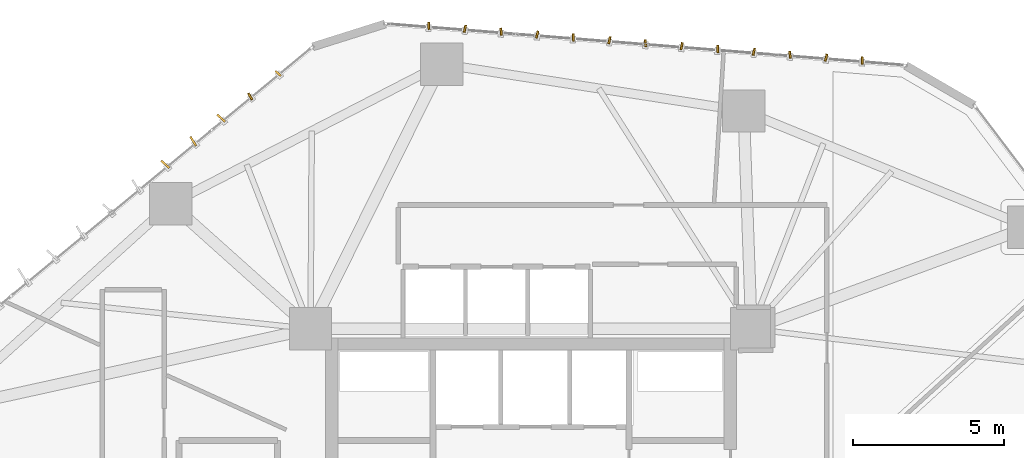
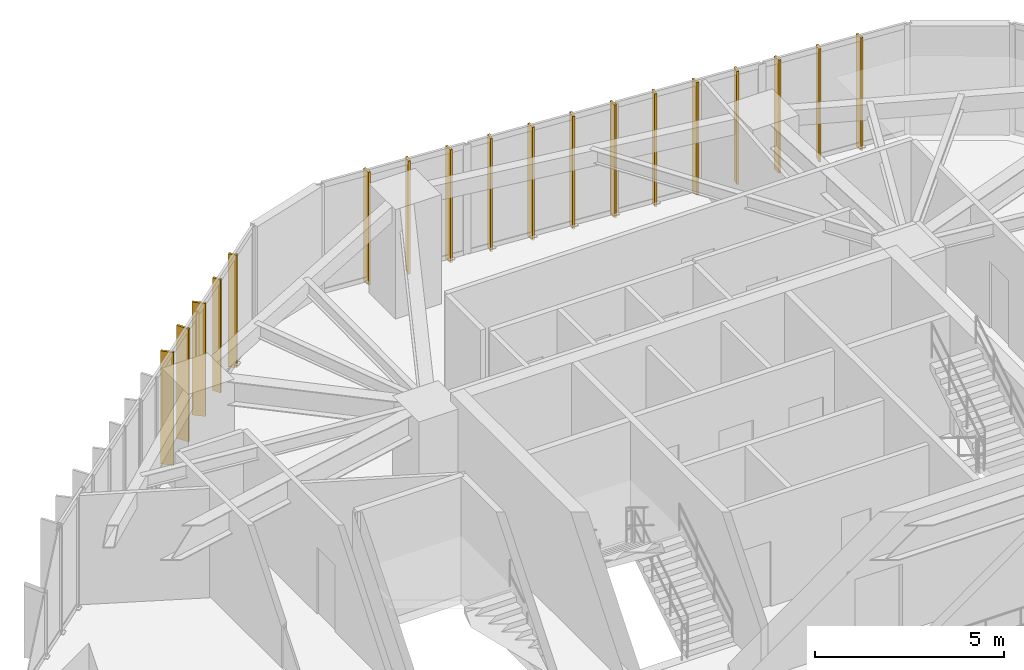
# One storey, part 23 of 23: 18 shading devices.
"""IFC4 building model written with IfcOpenShell, lengths in metres."""

from ifc_helpers import new_model, si_unit, direction, frame, origin, origin_2d, place, context, subcontext, project, spatial, rectangle, extrude, source, transform, mapped, material, layer, layer_set, type_object, type_shapes, element, save


model = new_model("IFC4")

# Units and contexts
model_context = context("Model", 3, precision=1e-05, world=origin(), true_north=direction((0.0, 1.0)))
body_context = subcontext(model_context, "Body", "Model", "MODEL_VIEW")
ifc_project = project(units=[si_unit("LENGTHUNIT", "METRE"), si_unit("AREAUNIT", "SQUARE_METRE"), si_unit("VOLUMEUNIT", "CUBIC_METRE"), si_unit("PLANEANGLEUNIT", "RADIAN"), si_unit("MASSUNIT", "GRAM", prefix="KILO")], contexts=[model_context])

# Site, building, storey
site_placement = place(None, origin())
site = spatial("IfcSite", under=ifc_project, at=site_placement, CompositionType="ELEMENT")
building_placement = place(site_placement, origin())
building = spatial("IfcBuilding", under=site, at=building_placement, Name="Talar Marvaseh", CompositionType="ELEMENT")
storey_placement = place(building_placement, frame((0.0, 0.0, 77.199951171875)))
storey = spatial("IfcBuildingStorey", under=building, at=storey_placement, Name="L19", CompositionType="ELEMENT", Elevation=77.199951171875)

# Shading devices
ifc_material = material(Name="Anodised Champagne Bronze Aluminium", Category="aluminium")
ifc_layer_1 = layer(ifc_material, 0.06494140625)
ifc_layer_set_1 = layer_set([ifc_layer_1], Name="Anodised Champagne Bronze Aluminium")
shading_device_type_1 = type_object("IfcShadingDeviceType", Name="Sawtooth Champagne Bronze Vertical Fin 240", PredefinedType="USERDEFINED", material=ifc_layer_set_1)
shared_shape_1 = source(origin(), body_context, "Body", "SweptSolid", [
    extrude(rectangle(XDim=0.239990234375, YDim=0.06494140625, at=origin_2d()), origin(), (0.0, 0.0, 1.0), 3.639892578125),
])
type_shapes(shading_device_type_1, [shared_shape_1])
for number, where, z_axis, x_axis, name in (
    (1, (16.69970703125, 44.59619140625, -0.1201171875), (0.0, 0.0, 1.0), (-0.523539870984, 0.852001175756, 0.0), "L19 Sawtooth Vertical Solar Fin"),
    (2, (17.624755859375, 45.360595703125, -0.1201171875), (0.0, 0.0, 1.0), (-0.738102175512, 0.674688949446, 0.0), "L19 Sawtooth Vertical Solar Fin"),
    (3, (22.6162109375, 46.934326171875, -0.1201171875), (0.0, 0.0, 1.0), (-0.059829042574, 0.998208638344, 0.0), "L19 Sawtooth Vertical Solar Fin"),
    (4, (23.8125, 46.8388671875, -0.1201171875), (0.0, 0.0, 1.0), (0.217632222696, 0.976030847691, 0.0), "L19 Sawtooth Vertical Solar Fin"),
    (5, (25.0087890625, 46.7431640625, -0.1201171875), (0.0, 0.0, 1.0), (-0.059829042574, 0.998208638344, 0.0), "L19 Sawtooth Vertical Solar Fin"),
    (6, (26.204833984375, 46.647705078125, -0.1201171875), (0.0, 0.0, 1.0), (0.217632222696, 0.976030847691, 0.0), "L19 Sawtooth Vertical Solar Fin"),
    (7, (27.401123046875, 46.552001953125, -0.1201171875), (0.0, 0.0, 1.0), (-0.059829042574, 0.998208638344, 0.0), "L19 Sawtooth Vertical Solar Fin"),
    (8, (28.597412109375, 46.45654296875, -0.1201171875), (0.0, 0.0, 1.0), (0.217632222696, 0.976030847691, 0.0), "L19 Sawtooth Vertical Solar Fin"),
    (9, (29.79345703125, 46.361083984375, -0.1201171875), (0.0, 0.0, 1.0), (-0.059829042574, 0.998208638344, 0.0), "L19 Sawtooth Vertical Solar Fin"),
    (10, (30.98974609375, 46.265380859375, -0.1201171875), (0.0, 0.0, 1.0), (0.217632222696, 0.976030847691, 0.0), "L19 Sawtooth Vertical Solar Fin"),
    (11, (32.185791015625, 46.169921875, -0.1201171875), (0.0, 0.0, 1.0), (-0.059829042574, 0.998208638344, 0.0), "L19 Sawtooth Vertical Solar Fin"),
    (12, (33.382080078125, 46.07421875, -0.1201171875), (0.0, 0.0, 1.0), (0.217632222696, 0.976030847691, 0.0), "L19 Sawtooth Vertical Solar Fin"),
    (13, (34.578125, 45.978759765625, -0.1201171875), (0.0, 0.0, 1.0), (-0.059829042574, 0.998208638344, 0.0), "L19 Sawtooth Vertical Solar Fin"),
    (14, (35.7744140625, 45.883056640625, -0.1201171875), (0.0, 0.0, 1.0), (0.217632222696, 0.976030847691, 0.0), "L19 Sawtooth Vertical Solar Fin"),
    (15, (36.970703125, 45.78759765625, -0.1201171875), (0.0, 0.0, 1.0), (-0.059829042574, 0.998208638344, 0.0), "L19 Sawtooth Vertical Solar Fin"),
):
    element("IfcShadingDevice", number, at=place(storey_placement, frame(where, z_axis=z_axis, x_axis=x_axis)), inside=storey, type_object=shading_device_type_1, Name=name, ObjectType="FIN", PredefinedType="USERDEFINED", context=body_context, shape_type="MappedRepresentation", body=[
        mapped(shared_shape_1, transform((0.0, 0.0, 0.0), x_axis=(1.0, 0.0, 0.0), y_axis=(0.0, 1.0, 0.0), z_axis=(0.0, 0.0, 1.0), scale=1.0)),
    ])
ifc_layer_2 = layer(ifc_material, 0.06494140625)
ifc_layer_set_2 = layer_set([ifc_layer_2], Name="Anodised Champagne Bronze Aluminium")
shading_device_type_2 = type_object("IfcShadingDeviceType", Name="Sawtooth Champagne Bronze Vertical Fin 360", PredefinedType="USERDEFINED", material=ifc_layer_set_2)
shared_shape_2 = source(origin(), body_context, "Body", "SweptSolid", [
    extrude(rectangle(XDim=0.360107421875, YDim=0.06494140625, at=origin_2d()), origin(), (0.0, 0.0, 1.0), 3.639892578125),
])
type_shapes(shading_device_type_2, [shared_shape_2])
for number, where, z_axis, x_axis, name in (
    (16, (13.88623046875, 42.34912109375, -0.1201171875), (0.0, 0.0, 1.0), (-0.738102175512, 0.674688949446, 0.0), "L19 Sawtooth Vertical Solar Fin"),
    (17, (14.811279296875, 43.113525390625, -0.1201171875), (0.0, 0.0, 1.0), (-0.523539870984, 0.852001175756, 0.0), "L19 Sawtooth Vertical Solar Fin"),
    (18, (15.736328125, 43.8779296875, -0.1201171875), (0.0, 0.0, 1.0), (-0.738102175512, 0.674688949446, 0.0), "L19 Sawtooth Vertical Solar Fin"),
):
    element("IfcShadingDevice", number, at=place(storey_placement, frame(where, z_axis=z_axis, x_axis=x_axis)), inside=storey, type_object=shading_device_type_2, Name=name, ObjectType="FIN", PredefinedType="USERDEFINED", context=body_context, shape_type="MappedRepresentation", body=[
        mapped(shared_shape_2, transform((0.0, 0.0, 0.0), x_axis=(1.0, 0.0, 0.0), y_axis=(0.0, 1.0, 0.0), z_axis=(0.0, 0.0, 1.0), scale=1.0)),
    ])

save(model, "model.ifc")
